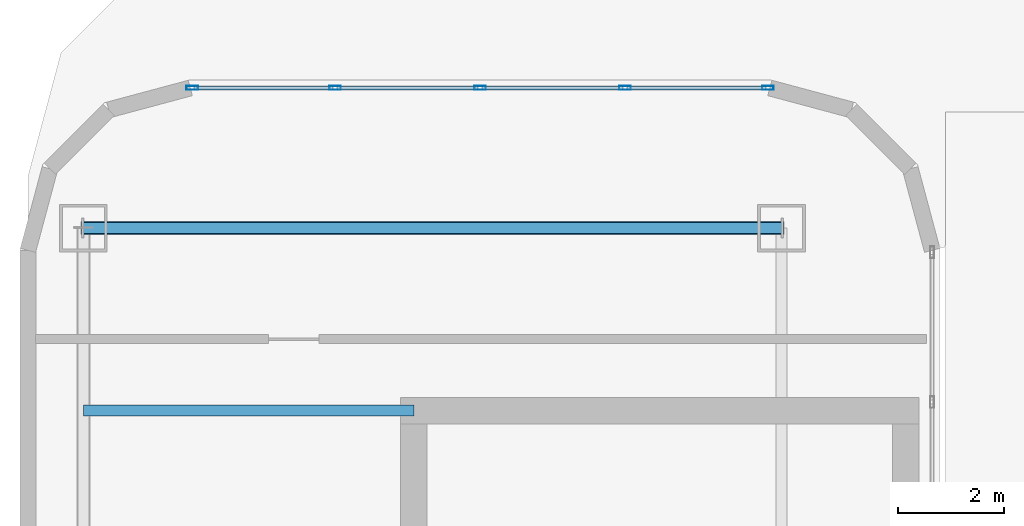
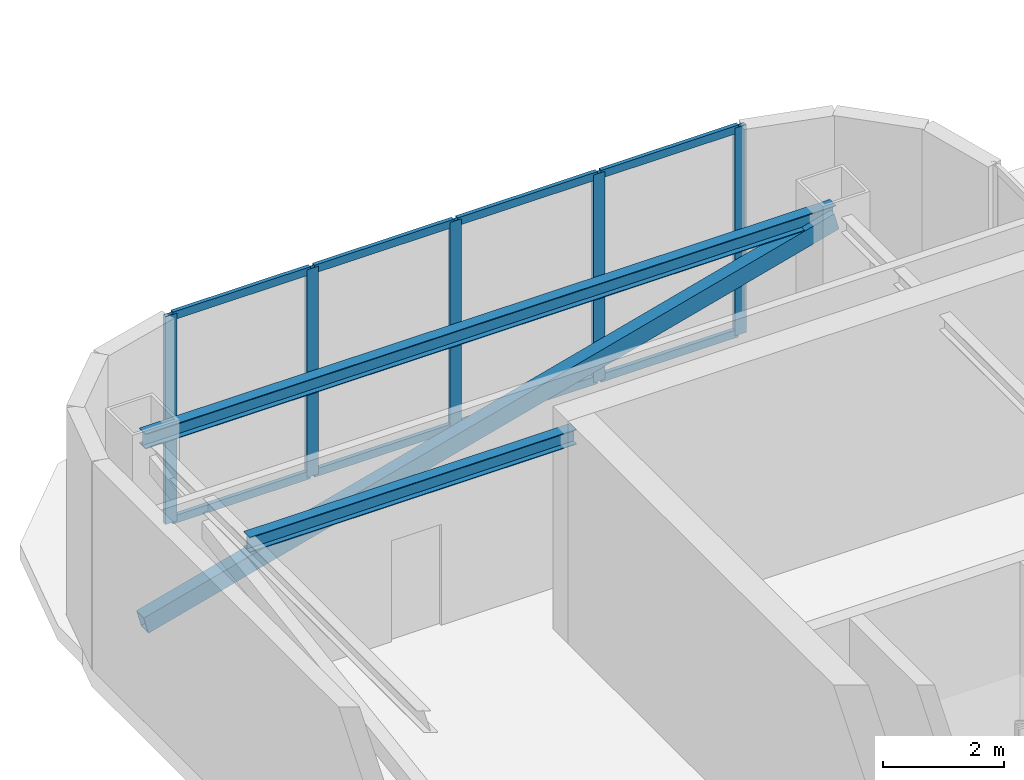
# One storey, part 4 of 14: 14 members, 2 beams, 1 element without a shape of its own.
"""IFC4 building model written with IfcOpenShell, lengths in metres."""

from ifc_helpers import new_model, si_unit, direction, frame, origin, origin_2d, place, context, subcontext, project, spatial, hollow_rectangle, i_section, extrude, material, layer, layer_set, material_profile, profile_set, type_object, element, aggregate, save


model = new_model("IFC4")

# Units and contexts
model_context = context("Model", 3, precision=1e-05, world=origin(), true_north=direction((0.0, 1.0)))
body_context = subcontext(model_context, "Body", "Model", "MODEL_VIEW")
ifc_project = project(units=[si_unit("LENGTHUNIT", "METRE"), si_unit("AREAUNIT", "SQUARE_METRE"), si_unit("VOLUMEUNIT", "CUBIC_METRE"), si_unit("PLANEANGLEUNIT", "RADIAN"), si_unit("MASSUNIT", "GRAM", prefix="KILO")], contexts=[model_context])

# Site, building, storey
site_placement = place(None, origin())
site = spatial("IfcSite", under=ifc_project, at=site_placement, CompositionType="ELEMENT")
building_placement = place(site_placement, origin())
building = spatial("IfcBuilding", under=site, at=building_placement, Name="Kiyonajd Concourse Tower", CompositionType="ELEMENT")
storey_placement = place(building_placement, frame((0.0, 0.0, 354.89990234375)))
storey = spatial("IfcBuildingStorey", under=building, at=storey_placement, Name="L89", CompositionType="ELEMENT", Elevation=354.89990234375)

# Beams
ifc_material_1 = material(Name="Steel ASTM A992 Grade 50", Category="steel")
ifc_material_profile_1 = material_profile(ifc_material_1, i_section(OverallWidth=0.2041015625, OverallDepth=0.305908203125, WebThickness=0.008544921875, FlangeThickness=0.0146484375, at=origin_2d()), Name="W310X67")
ifc_profile_set_1 = profile_set([ifc_material_profile_1], Name="Steel ASTM A992 Grade 50")
beam_type = type_object("IfcBeamType", Name="BM-CRN-310", PredefinedType="BEAM", material=ifc_profile_set_1)
beam_1_placement = place(storey_placement, frame((39.60009765625, 47.60009765625, 4.007080078125), z_axis=(-1.0, 0.0, 0.0), x_axis=(0.0, -1.0, 0.0)))
element("IfcBeam", 1, at=beam_1_placement, inside=storey, type_object=beam_type, Name="L89 W Crown Ring Beam 3", PredefinedType="BEAM", context=body_context, shape_type="SweptSolid", body=[
    extrude(i_section(OverallWidth=0.2041015625, OverallDepth=0.305908203125, WebThickness=0.008544921875, FlangeThickness=0.0146484375, at=origin_2d()), origin(), (0.0, 0.0, 1.0), 13.2001953125),
])
beam_2_placement = place(storey_placement, frame((26.39990234375, 44.14990234375, 4.007080078125), z_axis=(1.0, 0.0, 0.0), x_axis=(0.0, 1.0, 0.0)))
element("IfcBeam", 2, at=beam_2_placement, inside=storey, type_object=beam_type, Name="L89 W Crown Core Tie North", PredefinedType="BEAM", context=body_context, shape_type="SweptSolid", body=[
    extrude(i_section(OverallWidth=0.2041015625, OverallDepth=0.305908203125, WebThickness=0.008544921875, FlangeThickness=0.0146484375, at=origin_2d()), origin(), (0.0, 0.0, 1.0), 6.25),
])

# Member
ifc_material_2 = material(Name="Steel ASTM A500 Grade C", Category="steel")
ifc_material_profile_2 = material_profile(ifc_material_2, hollow_rectangle(XDim=0.25, YDim=0.35009765625, WallThickness=0.01611328125, at=origin_2d()), Name="HSS-350x250x16")
ifc_profile_set_2 = profile_set([ifc_material_profile_2], Name="Steel ASTM A500 Grade C")
member_type_1 = type_object("IfcMemberType", Name="MB-CRN-BRC", PredefinedType="BRACE", material=ifc_profile_set_2)
member_1_placement = place(storey_placement, frame((26.39990234375, 47.60009765625, 0.300048828125), z_axis=(0.965686426115, 0.0, 0.25971085156), x_axis=(0.0, 1.0, 0.0)))
element("IfcMember", 3, at=member_1_placement, inside=storey, type_object=member_type_1, Name="L89 W Crown Wind Brace 1", PredefinedType="BRACE", context=body_context, shape_type="SweptSolid", body=[
    extrude(hollow_rectangle(XDim=0.25, YDim=0.35009765625, WallThickness=0.01611328125, at=origin_2d()), origin(), (0.0, 0.0, 1.0), 13.669189453125),
])

# Curtain wall, members
ifc_material_3 = material(Name="Thermally Broken Anodised Aluminium", Category="aluminium")
ifc_layer = layer(ifc_material_3, 0.179931640625)
ifc_layer_set = layer_set([ifc_layer], Name="Thermally Broken Anodised Aluminium")
curtain_wall_type = type_object("IfcCurtainWallType", Name="CW-SYS-06", PredefinedType="NOTDEFINED", material=ifc_layer_set)
curtain_wall_placement = place(storey_placement, origin())
curtain_wall = element("IfcCurtainWall", 4, at=curtain_wall_placement, inside=storey, type_object=curtain_wall_type, Name="L89 Unitised Curtain Wall CW6", PredefinedType="NOTDEFINED")
ifc_material_profile_3 = material_profile(ifc_material_3, hollow_rectangle(XDim=0.074951171875, YDim=0.219970703125, WallThickness=0.0048828125, at=origin_2d()), Name="MULL-75x220")
ifc_profile_set_3 = profile_set([ifc_material_profile_3], Name="Thermally Broken Anodised Aluminium")
member_type_2 = type_object("IfcMemberType", Name="MB-CW-MULL2", PredefinedType="MULLION", material=ifc_profile_set_3)
member_2_placement = place(storey_placement, frame((28.457275390625, 50.25, 0.0), z_axis=(0.0, 0.0, 1.0), x_axis=(0.0, 1.0, 0.0)))
member_2 = element("IfcMember", 5, at=member_2_placement, type_object=member_type_2, Name="CW6 mullion 1", PredefinedType="MULLION", context=body_context, shape_type="SweptSolid", body=[
    extrude(hollow_rectangle(XDim=0.074951171875, YDim=0.219970703125, WallThickness=0.0048828125, at=origin_2d()), origin(), (0.0, 0.0, 1.0), 4.2001953125),
])
member_3_placement = place(storey_placement, frame((31.159912109375, 50.25, 0.0), z_axis=(0.0, 0.0, 1.0), x_axis=(0.0, 1.0, 0.0)))
member_3 = element("IfcMember", 6, at=member_3_placement, type_object=member_type_2, Name="CW6 mullion 2", PredefinedType="MULLION", context=body_context, shape_type="SweptSolid", body=[
    extrude(hollow_rectangle(XDim=0.074951171875, YDim=0.219970703125, WallThickness=0.0048828125, at=origin_2d()), origin(), (0.0, 0.0, 1.0), 4.2001953125),
])
member_4_placement = place(storey_placement, frame((33.89990234375, 50.25, 0.0), z_axis=(0.0, 0.0, 1.0), x_axis=(0.0, 1.0, 0.0)))
member_4 = element("IfcMember", 7, at=member_4_placement, type_object=member_type_2, Name="CW6 mullion 3", PredefinedType="MULLION", context=body_context, shape_type="SweptSolid", body=[
    extrude(hollow_rectangle(XDim=0.074951171875, YDim=0.219970703125, WallThickness=0.0048828125, at=origin_2d()), origin(), (0.0, 0.0, 1.0), 4.2001953125),
])
member_5_placement = place(storey_placement, frame((36.64013671875, 50.25, 0.0), z_axis=(0.0, 0.0, 1.0), x_axis=(0.0, 1.0, 0.0)))
member_5 = element("IfcMember", 8, at=member_5_placement, type_object=member_type_2, Name="CW6 mullion 4", PredefinedType="MULLION", context=body_context, shape_type="SweptSolid", body=[
    extrude(hollow_rectangle(XDim=0.074951171875, YDim=0.219970703125, WallThickness=0.0048828125, at=origin_2d()), origin(), (0.0, 0.0, 1.0), 4.2001953125),
])
member_6_placement = place(storey_placement, frame((39.3427734375, 50.25, 0.0), z_axis=(0.0, 0.0, 1.0), x_axis=(0.0, 1.0, 0.0)))
member_6 = element("IfcMember", 9, at=member_6_placement, type_object=member_type_2, Name="CW6 mullion 5", PredefinedType="MULLION", context=body_context, shape_type="SweptSolid", body=[
    extrude(hollow_rectangle(XDim=0.074951171875, YDim=0.219970703125, WallThickness=0.0048828125, at=origin_2d()), origin(), (0.0, 0.0, 1.0), 4.2001953125),
])
ifc_material_profile_4 = material_profile(ifc_material_3, hollow_rectangle(XDim=0.074951171875, YDim=0.159912109375, WallThickness=0.0048828125, at=origin_2d()), Name="TRAN-75x160")
ifc_profile_set_4 = profile_set([ifc_material_profile_4], Name="Thermally Broken Anodised Aluminium")
member_type_3 = type_object("IfcMemberType", Name="MB-CW-TRAN2", PredefinedType="USERDEFINED", material=ifc_profile_set_4)
member_7_placement = place(storey_placement, frame((28.494873046875, 50.25, 0.03759765625), z_axis=(1.0, 0.0, 0.0), x_axis=(0.0, 1.0, 0.0)))
member_7 = element("IfcMember", 10, at=member_7_placement, type_object=member_type_3, Name="CW6 transom 1.1", ObjectType="TRANSOM", PredefinedType="USERDEFINED", context=body_context, shape_type="SweptSolid", body=[
    extrude(hollow_rectangle(XDim=0.074951171875, YDim=0.159912109375, WallThickness=0.0048828125, at=origin_2d()), origin(), (0.0, 0.0, 1.0), 2.62744140625),
])
member_8_placement = place(storey_placement, frame((28.494873046875, 50.25, 4.16259765625), z_axis=(1.0, 0.0, 0.0), x_axis=(0.0, 1.0, 0.0)))
member_8 = element("IfcMember", 11, at=member_8_placement, type_object=member_type_3, Name="CW6 transom 1.2", ObjectType="TRANSOM", PredefinedType="USERDEFINED", context=body_context, shape_type="SweptSolid", body=[
    extrude(hollow_rectangle(XDim=0.074951171875, YDim=0.159912109375, WallThickness=0.0048828125, at=origin_2d()), origin(), (0.0, 0.0, 1.0), 2.62744140625),
])
member_9_placement = place(storey_placement, frame((31.197509765625, 50.25, 0.03759765625), z_axis=(1.0, 0.0, 0.0), x_axis=(0.0, 1.0, 0.0)))
member_9 = element("IfcMember", 12, at=member_9_placement, type_object=member_type_3, Name="CW6 transom 2.1", ObjectType="TRANSOM", PredefinedType="USERDEFINED", context=body_context, shape_type="SweptSolid", body=[
    extrude(hollow_rectangle(XDim=0.074951171875, YDim=0.159912109375, WallThickness=0.0048828125, at=origin_2d()), origin(), (0.0, 0.0, 1.0), 2.6650390625),
])
member_10_placement = place(storey_placement, frame((31.197509765625, 50.25, 4.16259765625), z_axis=(1.0, 0.0, 0.0), x_axis=(0.0, 1.0, 0.0)))
member_10 = element("IfcMember", 13, at=member_10_placement, type_object=member_type_3, Name="CW6 transom 2.2", ObjectType="TRANSOM", PredefinedType="USERDEFINED", context=body_context, shape_type="SweptSolid", body=[
    extrude(hollow_rectangle(XDim=0.074951171875, YDim=0.159912109375, WallThickness=0.0048828125, at=origin_2d()), origin(), (0.0, 0.0, 1.0), 2.6650390625),
])
member_11_placement = place(storey_placement, frame((33.9375, 50.25, 0.03759765625), z_axis=(1.0, 0.0, 0.0), x_axis=(0.0, 1.0, 0.0)))
member_11 = element("IfcMember", 14, at=member_11_placement, type_object=member_type_3, Name="CW6 transom 3.1", ObjectType="TRANSOM", PredefinedType="USERDEFINED", context=body_context, shape_type="SweptSolid", body=[
    extrude(hollow_rectangle(XDim=0.074951171875, YDim=0.159912109375, WallThickness=0.0048828125, at=origin_2d()), origin(), (0.0, 0.0, 1.0), 2.6650390625),
])
member_12_placement = place(storey_placement, frame((33.9375, 50.25, 4.16259765625), z_axis=(1.0, 0.0, 0.0), x_axis=(0.0, 1.0, 0.0)))
member_12 = element("IfcMember", 15, at=member_12_placement, type_object=member_type_3, Name="CW6 transom 3.2", ObjectType="TRANSOM", PredefinedType="USERDEFINED", context=body_context, shape_type="SweptSolid", body=[
    extrude(hollow_rectangle(XDim=0.074951171875, YDim=0.159912109375, WallThickness=0.0048828125, at=origin_2d()), origin(), (0.0, 0.0, 1.0), 2.6650390625),
])
member_13_placement = place(storey_placement, frame((36.677490234375, 50.25, 0.03759765625), z_axis=(1.0, 0.0, 0.0), x_axis=(0.0, 1.0, 0.0)))
member_13 = element("IfcMember", 16, at=member_13_placement, type_object=member_type_3, Name="CW6 transom 4.1", ObjectType="TRANSOM", PredefinedType="USERDEFINED", context=body_context, shape_type="SweptSolid", body=[
    extrude(hollow_rectangle(XDim=0.074951171875, YDim=0.159912109375, WallThickness=0.0048828125, at=origin_2d()), origin(), (0.0, 0.0, 1.0), 2.627685546875),
])
member_14_placement = place(storey_placement, frame((36.677490234375, 50.25, 4.16259765625), z_axis=(1.0, 0.0, 0.0), x_axis=(0.0, 1.0, 0.0)))
member_14 = element("IfcMember", 17, at=member_14_placement, type_object=member_type_3, Name="CW6 transom 4.2", ObjectType="TRANSOM", PredefinedType="USERDEFINED", context=body_context, shape_type="SweptSolid", body=[
    extrude(hollow_rectangle(XDim=0.074951171875, YDim=0.159912109375, WallThickness=0.0048828125, at=origin_2d()), origin(), (0.0, 0.0, 1.0), 2.627685546875),
])
aggregate(curtain_wall, [member_2, member_3, member_4, member_5, member_6, member_7, member_8, member_9, member_10, member_11, member_12, member_13, member_14])

save(model, "model.ifc")
